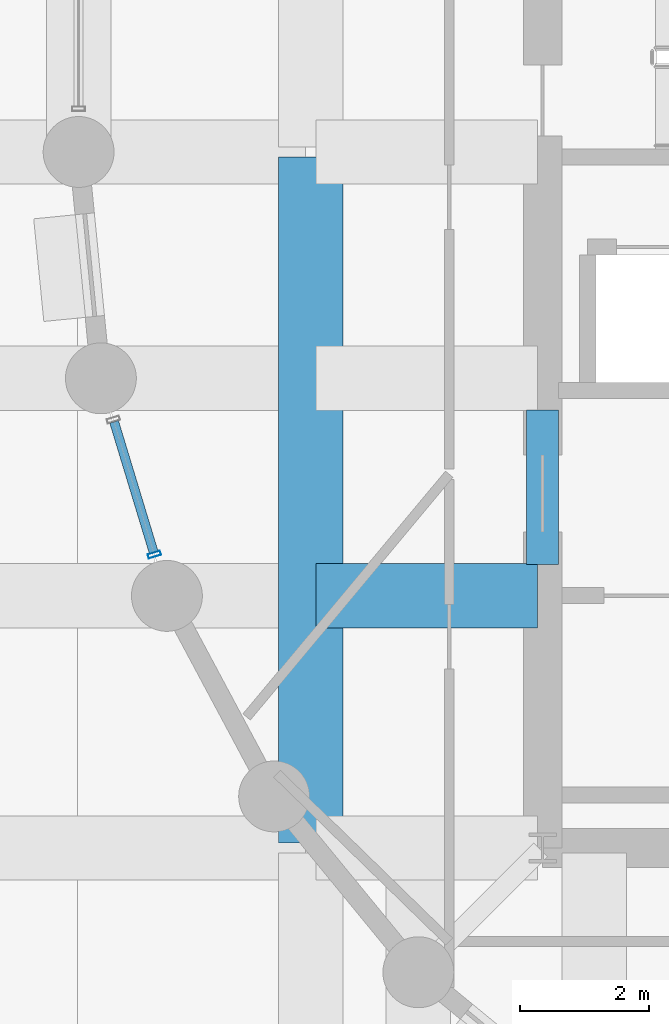
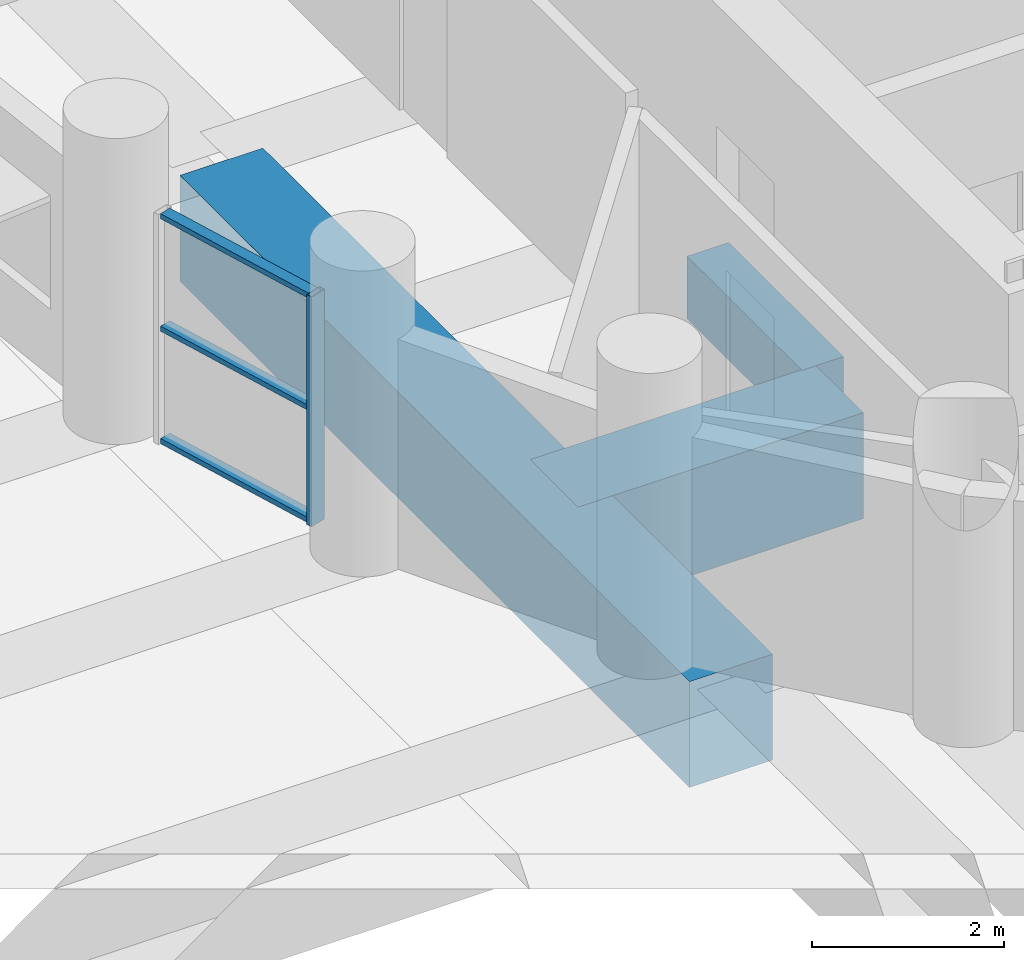
# One storey, part 4 of 39: 4 members, 3 beams, 1 element without a shape of its own.
"""IFC4 building model written with IfcOpenShell, lengths in metres."""

from ifc_helpers import new_model, si_unit, direction, frame, origin, origin_2d, place, context, subcontext, project, spatial, rectangle, hollow_rectangle, extrude, material, layer, layer_set, material_profile, profile_set, type_object, element, aggregate, save


model = new_model("IFC4")

# Units and contexts
model_context = context("Model", 3, precision=1e-05, world=origin(), true_north=direction((0.0, 1.0)))
body_context = subcontext(model_context, "Body", "Model", "MODEL_VIEW")
ifc_project = project(units=[si_unit("LENGTHUNIT", "METRE"), si_unit("AREAUNIT", "SQUARE_METRE"), si_unit("VOLUMEUNIT", "CUBIC_METRE"), si_unit("PLANEANGLEUNIT", "RADIAN"), si_unit("MASSUNIT", "GRAM", prefix="KILO")], contexts=[model_context])

# Site, building, storey
site_placement = place(None, origin())
site = spatial("IfcSite", under=ifc_project, at=site_placement, CompositionType="ELEMENT")
building_placement = place(site_placement, origin())
building = spatial("IfcBuilding", under=site, at=building_placement, Name="Solnavia Interchange Tower", CompositionType="ELEMENT")
storey_placement = place(building_placement, frame((0.0, 0.0, 24.0)))
storey = spatial("IfcBuildingStorey", under=building, at=storey_placement, Name="L05", CompositionType="ELEMENT", Elevation=24.0)

# Beams
ifc_material_1 = material(Name="Concrete C50/60", Category="concrete")
ifc_material_profile_1 = material_profile(ifc_material_1, rectangle(XDim=0.5, YDim=0.800048828125, at=origin_2d()), Name="RC 500x800")
ifc_profile_set_1 = profile_set([ifc_material_profile_1], Name="Concrete C50/60")
beam_type_1 = type_object("IfcBeamType", Name="Beam-Coupling-RC500x800", PredefinedType="LINTEL", material=ifc_profile_set_1)
beam_1_placement = place(storey_placement, frame((14.39990234375, 15.199951171875, -0.39990234375), z_axis=(0.0, 1.0, 0.0), x_axis=(-1.0, 0.0, 0.0)))
element("IfcBeam", 1, at=beam_1_placement, inside=storey, type_object=beam_type_1, Name="CPB-L05-W1 Core coupling lintel beam", PredefinedType="LINTEL", context=body_context, shape_type="SweptSolid", body=[
    extrude(rectangle(XDim=0.5, YDim=0.800048828125, at=origin_2d()), origin(), (0.0, 0.0, 1.0), 2.400146484375),
])
ifc_material_2 = material(Name="Concrete C60/75", Category="concrete")
ifc_material_profile_2 = material_profile(ifc_material_2, rectangle(XDim=1.0, YDim=1.35009765625, at=origin_2d()), Name="RC 1000x1350")
ifc_profile_set_2 = profile_set([ifc_material_profile_2], Name="Concrete C60/75")
beam_type_2 = type_object("IfcBeamType", Name="Beam-Transfer-RC1000x1350", PredefinedType="BEAM", material=ifc_profile_set_2)
beam_2_placement = place(storey_placement, frame((10.800048828125, 10.8798828125, -0.675048828125), z_axis=(0.0, 1.0, 0.0), x_axis=(-1.0, 0.0, 0.0)))
element("IfcBeam", 2, at=beam_2_placement, inside=storey, type_object=beam_type_2, Name="TRB-L05-36 West N-S primary transfer girder", PredefinedType="BEAM", context=body_context, shape_type="SweptSolid", body=[
    extrude(rectangle(XDim=1.0, YDim=1.35009765625, at=origin_2d()), origin(), (0.0, 0.0, 1.0), 10.64013671875),
])
beam_3_placement = place(storey_placement, frame((10.8798828125, 14.7119140625, -0.675048828125), z_axis=(1.0, 0.0, 0.0), x_axis=(0.0, 1.0, 0.0)))
element("IfcBeam", 3, at=beam_3_placement, inside=storey, type_object=beam_type_2, Name="TRB-L05-77 Drum west transfer girder", PredefinedType="BEAM", context=body_context, shape_type="SweptSolid", body=[
    extrude(rectangle(XDim=1.0, YDim=1.35009765625, at=origin_2d()), origin(), (0.0, 0.0, 1.0), 3.440185546875),
])

# Curtain wall, members
ifc_material_3 = material(Name="Aluminium Alloy 6063-T6", Category="aluminium")
ifc_layer = layer(ifc_material_3, 0.219970703125)
ifc_layer_set = layer_set([ifc_layer], Name="Aluminium Alloy 6063-T6")
curtain_wall_type = type_object("IfcCurtainWallType", Name="CurtainWall-Tower-CTW3", PredefinedType="NOTDEFINED", material=ifc_layer_set)
curtain_wall_placement = place(storey_placement, origin())
curtain_wall = element("IfcCurtainWall", 4, at=curtain_wall_placement, inside=storey, type_object=curtain_wall_type, Name="CTW-L05-S58 CTW-3 curtain wall", PredefinedType="NOTDEFINED")
ifc_material_profile_3 = material_profile(ifc_material_3, hollow_rectangle(XDim=0.070068359375, YDim=0.199951171875, WallThickness=0.0048828125, at=origin_2d()), Name="ALU 200x70x5")
ifc_profile_set_3 = profile_set([ifc_material_profile_3], Name="Aluminium Alloy 6063-T6")
member_type_1 = type_object("IfcMemberType", Name="CW-Mullion-CWM-3", PredefinedType="MULLION", material=ifc_profile_set_3)
member_1_placement = place(storey_placement, frame((8.37548828125, 15.353271484375, 0.0), z_axis=(0.0, 0.0, 1.0), x_axis=(0.29028027886, -0.95694166996, 0.0)))
member_1 = element("IfcMember", 5, at=member_1_placement, type_object=member_type_1, Name="CTW-3 mullion 2", PredefinedType="MULLION", context=body_context, shape_type="SweptSolid", body=[
    extrude(hollow_rectangle(XDim=0.070068359375, YDim=0.199951171875, WallThickness=0.0048828125, at=origin_2d()), origin(), (0.0, 0.0, 1.0), 2.929931640625),
])
ifc_material_profile_4 = material_profile(ifc_material_3, hollow_rectangle(XDim=0.06494140625, YDim=0.139892578125, WallThickness=0.00390625, at=origin_2d()), Name="ALU 140x65x4")
ifc_profile_set_4 = profile_set([ifc_material_profile_4], Name="Aluminium Alloy 6063-T6")
member_type_2 = type_object("IfcMemberType", Name="CW-Transom-CWT-3", PredefinedType="USERDEFINED", material=ifc_profile_set_4)
member_2_placement = place(storey_placement, frame((7.750732421875, 17.413330078125, 0.032470703125), z_axis=(0.290276145308, -0.956942923828, 0.0), x_axis=(0.0, 0.0, 1.0)))
member_2 = element("IfcMember", 6, at=member_2_placement, type_object=member_type_2, Name="CTW-3 transom 1.1", ObjectType="TRANSOM", PredefinedType="USERDEFINED", context=body_context, shape_type="SweptSolid", body=[
    extrude(hollow_rectangle(XDim=0.06494140625, YDim=0.139892578125, WallThickness=0.00390625, at=origin_2d()), origin(), (0.0, 0.0, 1.0), 2.11767578125),
])
member_3_placement = place(storey_placement, frame((7.750732421875, 17.413330078125, 1.465087890625), z_axis=(0.290276145308, -0.956942923828, 0.0), x_axis=(0.0, 0.0, 1.0)))
member_3 = element("IfcMember", 7, at=member_3_placement, type_object=member_type_2, Name="CTW-3 transom 1.2", ObjectType="TRANSOM", PredefinedType="USERDEFINED", context=body_context, shape_type="SweptSolid", body=[
    extrude(hollow_rectangle(XDim=0.06494140625, YDim=0.139892578125, WallThickness=0.00390625, at=origin_2d()), origin(), (0.0, 0.0, 1.0), 2.11767578125),
])
member_4_placement = place(storey_placement, frame((7.750732421875, 17.413330078125, 2.8974609375), z_axis=(0.290276145308, -0.956942923828, 0.0), x_axis=(0.0, 0.0, 1.0)))
member_4 = element("IfcMember", 8, at=member_4_placement, type_object=member_type_2, Name="CTW-3 transom 1.3", ObjectType="TRANSOM", PredefinedType="USERDEFINED", context=body_context, shape_type="SweptSolid", body=[
    extrude(hollow_rectangle(XDim=0.06494140625, YDim=0.139892578125, WallThickness=0.00390625, at=origin_2d()), origin(), (0.0, 0.0, 1.0), 2.11767578125),
])
aggregate(curtain_wall, [member_1, member_2, member_3, member_4])

save(model, "model.ifc")
